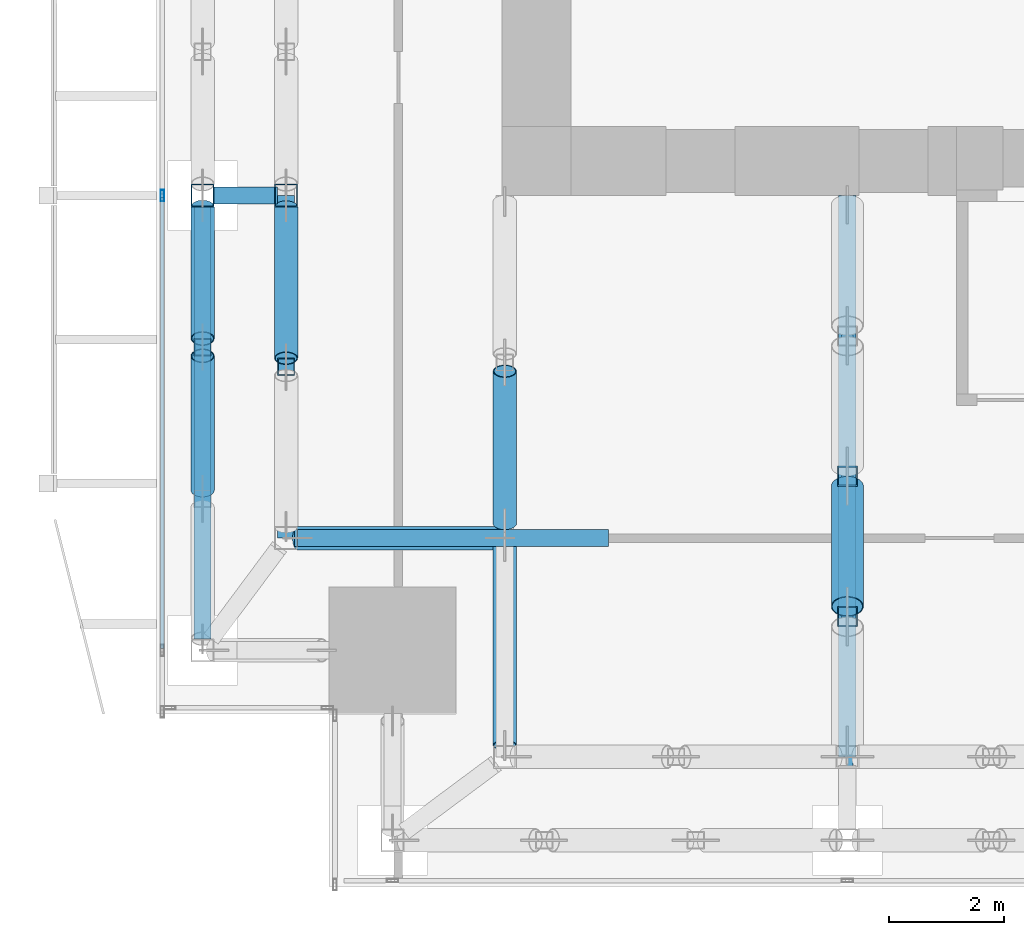
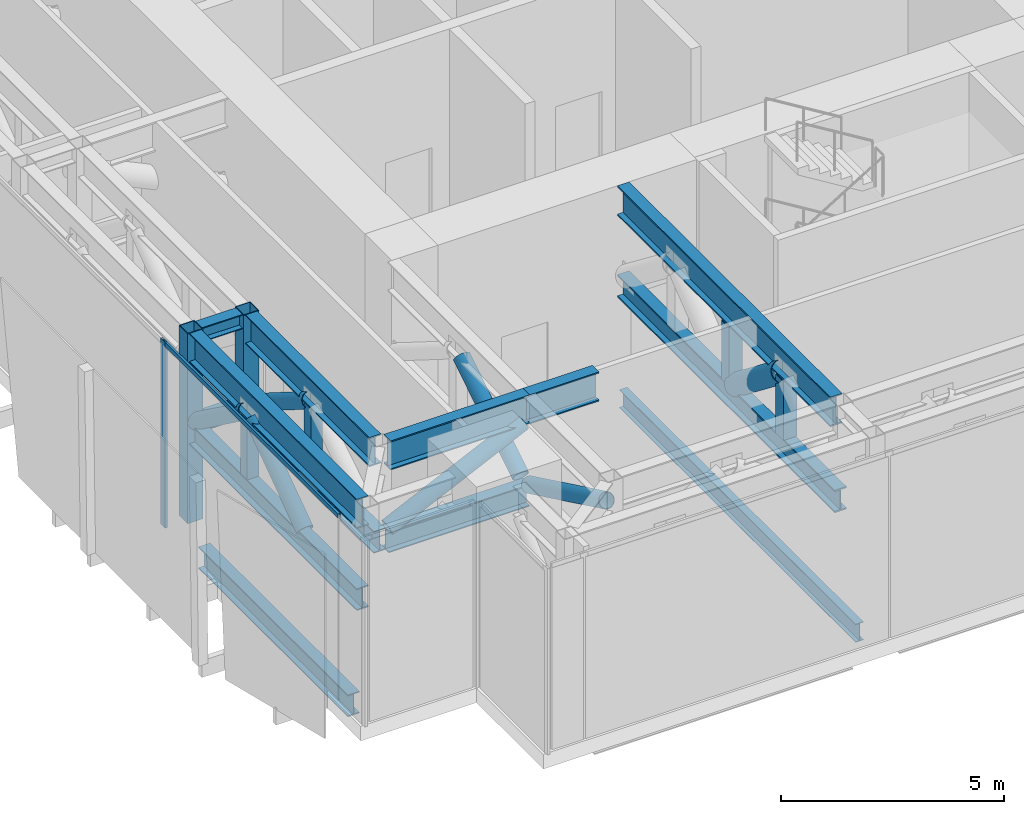
# One storey, part 3 of 39: 24 members, 4 beams, 1 element without a shape of its own.
"""IFC4 building model written with IfcOpenShell, lengths in metres."""

from ifc_helpers import new_model, si_unit, direction, frame, origin, origin_2d, place, context, subcontext, project, spatial, hollow_rectangle, hollow_circle, i_section, extrude, source, transform, mapped, material, material_profile, profile_set, type_object, element, aggregate, save


model = new_model("IFC4")

# Units and contexts
model_context = context("Model", 3, precision=1e-05, world=origin(), true_north=direction((0.0, 1.0)))
body_context = subcontext(model_context, "Body", "Model", "MODEL_VIEW")
ifc_project = project(units=[si_unit("LENGTHUNIT", "METRE"), si_unit("AREAUNIT", "SQUARE_METRE"), si_unit("VOLUMEUNIT", "CUBIC_METRE"), si_unit("PLANEANGLEUNIT", "RADIAN"), si_unit("MASSUNIT", "GRAM", prefix="KILO")], contexts=[model_context])

# Site, building, storey
site_placement = place(None, origin())
site = spatial("IfcSite", under=ifc_project, at=site_placement, CompositionType="ELEMENT")
building_placement = place(site_placement, origin())
building = spatial("IfcBuilding", under=site, at=building_placement, Name="Khomas Fold Tower", CompositionType="ELEMENT")
storey_placement = place(building_placement, frame((0.0, 0.0, 96.0)))
storey = spatial("IfcBuildingStorey", under=building, at=storey_placement, Name="L20", CompositionType="ELEMENT", Elevation=96.0)

# Beams
ifc_material_1 = material(Name="Steel S355", Category="steel")
ifc_material_profile_1 = material_profile(ifc_material_1, i_section(OverallWidth=0.199951171875, OverallDepth=0.5, WebThickness=0.01025390625, FlangeThickness=0.01611328125, at=origin_2d()), Name="IPE 500")
ifc_profile_set_1 = profile_set([ifc_material_profile_1], Name="Steel S355")
beam_type_1 = type_object("IfcBeamType", Name="IPE 500 beam JB5", PredefinedType="BEAM", material=ifc_profile_set_1)
shared_shape_1 = source(origin(), body_context, "Body", "SweptSolid", [
    extrude(i_section(OverallWidth=0.199951171875, OverallDepth=0.5, WebThickness=0.01025390625, FlangeThickness=0.01611328125, at=origin_2d()), origin(), (0.0, 0.0, 1.0), 10.60009765625),
])
beam_1_placement = place(storey_placement, frame((12.0, 1.39990234375, -0.64990234375), z_axis=(0.0, 1.0, 0.0), x_axis=(-1.0, 0.0, 0.0)))
element("IfcBeam", 1, at=beam_1_placement, inside=storey, type_object=beam_type_1, Name="JB5", PredefinedType="BEAM", context=body_context, shape_type="MappedRepresentation", body=[
    mapped(shared_shape_1, transform((0.0, 0.0, 0.0))),
])
ifc_material_2 = material(Name="Steel S355", Category="steel")
ifc_material_profile_2 = material_profile(ifc_material_2, i_section(OverallWidth=0.300048828125, OverallDepth=0.60009765625, WebThickness=0.015380859375, FlangeThickness=0.030029296875, at=origin_2d()), Name="HE 600 B")
ifc_profile_set_2 = profile_set([ifc_material_profile_2], Name="Steel S355")
beam_type_2 = type_object("IfcBeamType", Name="HE 600 B spandrel SB1", PredefinedType="SPANDREL", material=ifc_profile_set_2)
shared_shape_2 = source(origin(), body_context, "Body", "SweptSolid", [
    extrude(i_section(OverallWidth=0.300048828125, OverallDepth=0.60009765625, WebThickness=0.015380859375, FlangeThickness=0.030029296875, at=origin_2d()), origin(), (0.0, 0.0, 1.0), 6.699951171875),
])
beam_2_placement = place(storey_placement, frame((0.800048828125, 4.699951171875, -0.699951171875), z_axis=(0.0, 1.0, 0.0), x_axis=(-1.0, 0.0, 0.0)))
element("IfcBeam", 2, at=beam_2_placement, inside=storey, type_object=beam_type_2, Name="SB1", PredefinedType="SPANDREL", context=body_context, shape_type="MappedRepresentation", body=[
    mapped(shared_shape_2, transform((0.0, 0.0, 0.0))),
])

# Members
ifc_material_3 = material(Name="Steel S460M", Category="steel")
ifc_material_profile_3 = material_profile(ifc_material_3, i_section(OverallWidth=0.300048828125, OverallDepth=0.800048828125, WebThickness=0.017578125, FlangeThickness=0.032958984375, at=origin_2d()), Name="HE 800 B")
ifc_profile_set_3 = profile_set([ifc_material_profile_3], Name="Steel S460M")
member_type_1 = type_object("IfcMemberType", Name="BELT TRUSS 1 TOP CHORD HE 800 B", PredefinedType="CHORD", material=ifc_profile_set_3)
shared_shape_3 = source(origin(), body_context, "Body", "SweptSolid", [
    extrude(i_section(OverallWidth=0.300048828125, OverallDepth=0.800048828125, WebThickness=0.017578125, FlangeThickness=0.032958984375, at=origin_2d()), origin(), (0.0, 0.0, 1.0), 7.5),
])
member_1_placement = place(storey_placement, frame((0.800048828125, 11.800048828125, 4.800048828125), z_axis=(0.0, -1.0, 0.0), x_axis=(1.0, 0.0, 0.0)))
element("IfcMember", 3, at=member_1_placement, inside=storey, type_object=member_type_1, Name="BT1-CT", PredefinedType="CHORD", context=body_context, shape_type="MappedRepresentation", body=[
    mapped(shared_shape_3, transform((0.0, 0.0, 0.0))),
])
ifc_material_4 = material(Name="Steel S355", Category="steel")
ifc_material_profile_4 = material_profile(ifc_material_4, i_section(OverallWidth=0.300048828125, OverallDepth=0.60009765625, WebThickness=0.015380859375, FlangeThickness=0.030029296875, at=origin_2d()), Name="HE 600 B")
ifc_profile_set_4 = profile_set([ifc_material_profile_4], Name="Steel S355")
member_type_2 = type_object("IfcMemberType", Name="BELT TRUSS 1 BOTTOM CHORD HE 600 B", PredefinedType="CHORD", material=ifc_profile_set_4)
shared_shape_4 = source(origin(), body_context, "Body", "SweptSolid", [
    extrude(i_section(OverallWidth=0.300048828125, OverallDepth=0.60009765625, WebThickness=0.015380859375, FlangeThickness=0.030029296875, at=origin_2d()), origin(), (0.0, 0.0, 1.0), 7.5),
])
member_2_placement = place(storey_placement, frame((0.800048828125, 11.800048828125, 2.449951171875), z_axis=(0.0, -1.0, 0.0), x_axis=(1.0, 0.0, 0.0)))
element("IfcMember", 4, at=member_2_placement, inside=storey, type_object=member_type_2, Name="BT1-CB", PredefinedType="CHORD", context=body_context, shape_type="MappedRepresentation", body=[
    mapped(shared_shape_4, transform((0.0, 0.0, 0.0))),
])
ifc_material_5 = material(Name="Steel S355", Category="steel")
ifc_material_profile_5 = material_profile(ifc_material_5, hollow_circle(Radius=0.203125, WallThickness=0.01611328125, at=origin_2d()), Name="CHS 406.4x16")
ifc_profile_set_5 = profile_set([ifc_material_profile_5], Name="Steel S355")
member_type_3 = type_object("IfcMemberType", Name="BELT TRUSS 1 DIAGONAL CHS 406.4x16", PredefinedType="BRACE", material=ifc_profile_set_5)
shared_shape_5 = source(origin(), body_context, "Body", "SweptSolid", [
    extrude(hollow_circle(Radius=0.203125, WallThickness=0.01611328125, at=origin_2d()), origin(), (0.0, 0.0, 1.0), 2.863525390625),
])
member_3_placement = place(storey_placement, frame((0.800048828125, 9.216552734375, 4.405029296875), z_axis=(0.0, -0.814838084694, -0.579688619633), x_axis=(1.0, 0.0, 0.0)))
element("IfcMember", 5, at=member_3_placement, inside=storey, type_object=member_type_3, Name="BT1-D", PredefinedType="BRACE", context=body_context, shape_type="MappedRepresentation", body=[
    mapped(shared_shape_5, transform((0.0, 0.0, 0.0))),
])
shared_shape_6 = source(origin(), body_context, "Body", "SweptSolid", [
    extrude(hollow_circle(Radius=0.203125, WallThickness=0.01611328125, at=origin_2d()), origin(), (0.0, 0.0, 1.0), 2.822998046875),
])
member_4_placement = place(storey_placement, frame((0.800048828125, 11.800048828125, 2.7451171875), z_axis=(0.0, -0.808866956084, 0.587991706876), x_axis=(1.0, 0.0, 0.0)))
element("IfcMember", 6, at=member_4_placement, inside=storey, type_object=member_type_3, Name="BT1-D", PredefinedType="BRACE", context=body_context, shape_type="MappedRepresentation", body=[
    mapped(shared_shape_6, transform((0.0, 0.0, 0.0))),
])
ifc_material_6 = material(Name="Steel S355", Category="steel")
ifc_material_profile_6 = material_profile(ifc_material_6, hollow_rectangle(XDim=0.300048828125, YDim=0.300048828125, WallThickness=0.01611328125, at=origin_2d()), Name="SHS 300x300x16")
ifc_profile_set_6 = profile_set([ifc_material_profile_6], Name="Steel S355")
member_type_4 = type_object("IfcMemberType", Name="BELT TRUSS 1 MID POST SHS 300x300x16", PredefinedType="POST", material=ifc_profile_set_6)
shared_shape_7 = source(origin(), body_context, "Body", "SweptSolid", [
    extrude(hollow_rectangle(XDim=0.300048828125, YDim=0.300048828125, WallThickness=0.01611328125, at=origin_2d()), origin(), (0.0, 0.0, 1.0), 1.64990234375),
])
for number, where, z_axis, x_axis, name in (
    (7, (0.800048828125, 9.36669921875, 2.75), (0.0, 0.0, 1.0), (1.0, 0.0, 0.0), "BT1-M"),
    (8, (2.25, 9.02490234375, 2.75), (0.0, 0.0, 1.0), (1.0, 0.0, 0.0), "BT1-M"),
):
    element("IfcMember", number, at=place(storey_placement, frame(where, z_axis=z_axis, x_axis=x_axis)), inside=storey, type_object=member_type_4, Name=name, PredefinedType="POST", context=body_context, shape_type="MappedRepresentation", body=[
        mapped(shared_shape_7, transform((0.0, 0.0, 0.0))),
    ])
shared_shape_8 = source(origin(), body_context, "Body", "SweptSolid", [
    extrude(i_section(OverallWidth=0.300048828125, OverallDepth=0.800048828125, WebThickness=0.017578125, FlangeThickness=0.032958984375, at=origin_2d()), origin(), (0.0, 0.0, 1.0), 5.550048828125),
])
member_5_placement = place(storey_placement, frame((2.25, 11.800048828125, 4.800048828125), z_axis=(0.0, -1.0, 0.0), x_axis=(1.0, 0.0, 0.0)))
element("IfcMember", 9, at=member_5_placement, inside=storey, type_object=member_type_1, Name="BT1-CT", PredefinedType="CHORD", context=body_context, shape_type="MappedRepresentation", body=[
    mapped(shared_shape_8, transform((0.0, 0.0, 0.0))),
])
shared_shape_9 = source(origin(), body_context, "Body", "SweptSolid", [
    extrude(hollow_circle(Radius=0.203125, WallThickness=0.01611328125, at=origin_2d()), origin(), (0.0, 0.0, 1.0), 3.105712890625),
])
member_6_placement = place(storey_placement, frame((2.25, 11.800048828125, 2.7451171875), z_axis=(0.0, -0.84519551241, 0.534457244129), x_axis=(1.0, 0.0, 0.0)))
element("IfcMember", 10, at=member_6_placement, inside=storey, type_object=member_type_3, Name="BT1-D", PredefinedType="BRACE", context=body_context, shape_type="MappedRepresentation", body=[
    mapped(shared_shape_9, transform((0.0, 0.0, 0.0))),
])
shared_shape_10 = source(origin(), body_context, "Body", "SweptSolid", [
    extrude(i_section(OverallWidth=0.300048828125, OverallDepth=0.60009765625, WebThickness=0.015380859375, FlangeThickness=0.030029296875, at=origin_2d()), origin(), (0.0, 0.0, 1.0), 5.949951171875),
])
member_7_placement = place(storey_placement, frame((2.25, 12.0, 2.449951171875), z_axis=(0.0, -1.0, 0.0), x_axis=(1.0, 0.0, 0.0)))
element("IfcMember", 11, at=member_7_placement, inside=storey, type_object=member_type_2, Name="BT1-CB", PredefinedType="CHORD", context=body_context, shape_type="MappedRepresentation", body=[
    mapped(shared_shape_10, transform((0.0, 0.0, 0.0))),
])
ifc_material_7 = material(Name="Steel S460M", Category="steel")
ifc_material_profile_7 = material_profile(ifc_material_7, i_section(OverallWidth=0.300048828125, OverallDepth=0.800048828125, WebThickness=0.017578125, FlangeThickness=0.032958984375, at=origin_2d()), Name="HE 800 B")
ifc_profile_set_7 = profile_set([ifc_material_profile_7], Name="Steel S460M")
member_type_5 = type_object("IfcMemberType", Name="BELT TRUSS 1 TOP CHORD SHORT HE 800 B", PredefinedType="CHORD", material=ifc_profile_set_7)
shared_shape_11 = source(origin(), body_context, "Body", "SweptSolid", [
    extrude(i_section(OverallWidth=0.300048828125, OverallDepth=0.800048828125, WebThickness=0.017578125, FlangeThickness=0.032958984375, at=origin_2d()), origin(), (0.0, 0.0, 1.0), 3.60009765625),
])
member_8_placement = place(storey_placement, frame((2.449951171875, 6.050048828125, 4.800048828125), z_axis=(1.0, 0.0, 0.0), x_axis=(0.0, 1.0, 0.0)))
element("IfcMember", 12, at=member_8_placement, inside=storey, type_object=member_type_5, Name="BT1-CTS", PredefinedType="CHORD", context=body_context, shape_type="MappedRepresentation", body=[
    mapped(shared_shape_11, transform((0.0, 0.0, 0.0))),
])
ifc_material_8 = material(Name="Steel S355", Category="steel")
ifc_material_profile_8 = material_profile(ifc_material_8, hollow_circle(Radius=0.203125, WallThickness=0.01611328125, at=origin_2d()), Name="CHS 406.4x16")
ifc_profile_set_8 = profile_set([ifc_material_profile_8], Name="Steel S355")
member_type_6 = type_object("IfcMemberType", Name="BELT TRUSS 1 DIAGONAL LONG CHS 406.4x16", PredefinedType="BRACE", material=ifc_profile_set_8)
shared_shape_12 = source(origin(), body_context, "Body", "SweptSolid", [
    extrude(hollow_circle(Radius=0.203125, WallThickness=0.01611328125, at=origin_2d()), origin(), (0.0, 0.0, 1.0), 3.887451171875),
])
member_9_placement = place(storey_placement, frame((2.449951171875, 6.050048828125, 2.7451171875), z_axis=(0.904261444129, 0.0, 0.426979204016), x_axis=(0.0, 1.0, 0.0)))
element("IfcMember", 13, at=member_9_placement, inside=storey, type_object=member_type_6, Name="BT1-DL", PredefinedType="BRACE", context=body_context, shape_type="MappedRepresentation", body=[
    mapped(shared_shape_12, transform((0.0, 0.0, 0.0))),
])
shared_shape_13 = source(origin(), body_context, "Body", "SweptSolid", [
    extrude(hollow_circle(Radius=0.203125, WallThickness=0.01611328125, at=origin_2d()), origin(), (0.0, 0.0, 1.0), 3.82861328125),
])
member_10_placement = place(storey_placement, frame((6.050048828125, 2.449951171875, 4.405029296875), z_axis=(0.0, 0.901121646238, -0.43356634865), x_axis=(-1.0, 0.0, 0.0)))
element("IfcMember", 14, at=member_10_placement, inside=storey, type_object=member_type_6, Name="BT1-DL", PredefinedType="BRACE", context=body_context, shape_type="MappedRepresentation", body=[
    mapped(shared_shape_13, transform((0.0, 0.0, 0.0))),
])
ifc_material_9 = material(Name="Steel S460M", Category="steel")
ifc_material_profile_9 = material_profile(ifc_material_9, i_section(OverallWidth=0.300048828125, OverallDepth=0.800048828125, WebThickness=0.017578125, FlangeThickness=0.032958984375, at=origin_2d()), Name="HE 800 B")
ifc_profile_set_9 = profile_set([ifc_material_profile_9], Name="Steel S460M")
member_type_7 = type_object("IfcMemberType", Name="BELT TRUSS 1 TOP CHORD SHORTER HE 800 B", PredefinedType="CHORD", material=ifc_profile_set_9)
shared_shape_14 = source(origin(), body_context, "Body", "SweptSolid", [
    extrude(i_section(OverallWidth=0.300048828125, OverallDepth=0.800048828125, WebThickness=0.017578125, FlangeThickness=0.032958984375, at=origin_2d()), origin(), (0.0, 0.0, 1.0), 1.800048828125),
])
member_11_placement = place(storey_placement, frame((6.050048828125, 6.050048828125, 4.800048828125), z_axis=(1.0, 0.0, 0.0), x_axis=(0.0, 1.0, 0.0)))
element("IfcMember", 15, at=member_11_placement, inside=storey, type_object=member_type_7, Name="BT1-CTSS", PredefinedType="CHORD", context=body_context, shape_type="MappedRepresentation", body=[
    mapped(shared_shape_14, transform((0.0, 0.0, 0.0))),
])
ifc_material_10 = material(Name="Steel S355", Category="steel")
ifc_material_profile_10 = material_profile(ifc_material_10, i_section(OverallWidth=0.300048828125, OverallDepth=0.60009765625, WebThickness=0.015380859375, FlangeThickness=0.030029296875, at=origin_2d()), Name="HE 600 B")
ifc_profile_set_10 = profile_set([ifc_material_profile_10], Name="Steel S355")
member_type_8 = type_object("IfcMemberType", Name="BELT TRUSS 1 BOTTOM CHORD SHORT HE 600 B", PredefinedType="CHORD", material=ifc_profile_set_10)
shared_shape_15 = source(origin(), body_context, "Body", "SweptSolid", [
    extrude(i_section(OverallWidth=0.300048828125, OverallDepth=0.60009765625, WebThickness=0.015380859375, FlangeThickness=0.030029296875, at=origin_2d()), origin(), (0.0, 0.0, 1.0), 3.650146484375),
])
member_12_placement = place(storey_placement, frame((2.39990234375, 6.050048828125, 2.449951171875), z_axis=(1.0, 0.0, 0.0), x_axis=(0.0, 1.0, 0.0)))
element("IfcMember", 16, at=member_12_placement, inside=storey, type_object=member_type_8, Name="BT1-CBS", PredefinedType="CHORD", context=body_context, shape_type="MappedRepresentation", body=[
    mapped(shared_shape_15, transform((0.0, 0.0, 0.0))),
])
shared_shape_16 = source(origin(), body_context, "Body", "SweptSolid", [
    extrude(hollow_circle(Radius=0.203125, WallThickness=0.01611328125, at=origin_2d()), origin(), (0.0, 0.0, 1.0), 3.123046875),
])
member_13_placement = place(storey_placement, frame((6.050048828125, 6.304443359375, 2.7451171875), z_axis=(0.0, 0.847065964698, 0.531487771685), x_axis=(-1.0, 0.0, 0.0)))
element("IfcMember", 17, at=member_13_placement, inside=storey, type_object=member_type_3, Name="BT1-D", PredefinedType="BRACE", context=body_context, shape_type="MappedRepresentation", body=[
    mapped(shared_shape_16, transform((0.0, 0.0, 0.0))),
])
ifc_material_11 = material(Name="Steel S460M", Category="steel")
ifc_material_profile_11 = material_profile(ifc_material_11, hollow_rectangle(XDim=0.39990234375, YDim=0.39990234375, WallThickness=0.02001953125, at=origin_2d()), Name="SHS 400x400x20")
ifc_profile_set_11 = profile_set([ifc_material_profile_11], Name="Steel S460M")
member_type_9 = type_object("IfcMemberType", Name="BELT TRUSS 1 COLUMN POST LONG SHS 400x400x20", PredefinedType="POST", material=ifc_profile_set_11)
shared_shape_17 = source(origin(), body_context, "Body", "SweptSolid", [
    extrude(hollow_rectangle(XDim=0.39990234375, YDim=0.39990234375, WallThickness=0.02001953125, at=origin_2d()), origin(), (0.0, 0.0, 1.0), 5.199951171875),
])
member_14_placement = place(storey_placement, frame((0.800048828125, 12.0, 0.0), z_axis=(0.0, 0.0, 1.0), x_axis=(1.0, 0.0, 0.0)))
element("IfcMember", 18, at=member_14_placement, inside=storey, type_object=member_type_9, Name="BT1-PL", PredefinedType="POST", context=body_context, shape_type="MappedRepresentation", body=[
    mapped(shared_shape_17, transform((0.0, 0.0, 0.0))),
])
ifc_material_12 = material(Name="Steel S460M", Category="steel")
ifc_material_profile_12 = material_profile(ifc_material_12, hollow_rectangle(XDim=0.39990234375, YDim=0.39990234375, WallThickness=0.02001953125, at=origin_2d()), Name="SHS 400x400x20")
ifc_profile_set_12 = profile_set([ifc_material_profile_12], Name="Steel S460M")
member_type_10 = type_object("IfcMemberType", Name="BELT TRUSS 1 COLUMN POST SHS 400x400x20", PredefinedType="POST", material=ifc_profile_set_12)
shared_shape_18 = source(origin(), body_context, "Body", "SweptSolid", [
    extrude(hollow_rectangle(XDim=0.39990234375, YDim=0.39990234375, WallThickness=0.02001953125, at=origin_2d()), origin(), (0.0, 0.0, 1.0), 2.449951171875),
])
member_15_placement = place(storey_placement, frame((2.25, 12.0, 2.75), z_axis=(0.0, 0.0, 1.0), x_axis=(1.0, 0.0, 0.0)))
element("IfcMember", 19, at=member_15_placement, inside=storey, type_object=member_type_10, Name="BT1-P", PredefinedType="POST", context=body_context, shape_type="MappedRepresentation", body=[
    mapped(shared_shape_18, transform((0.0, 0.0, 0.0))),
])

# Beams
ifc_material_13 = material(Name="Steel S355", Category="steel")
ifc_material_profile_13 = material_profile(ifc_material_13, i_section(OverallWidth=0.300048828125, OverallDepth=0.39990234375, WebThickness=0.013427734375, FlangeThickness=0.02392578125, at=origin_2d()), Name="HE 400 B")
ifc_profile_set_13 = profile_set([ifc_material_profile_13], Name="Steel S355")
beam_type_3 = type_object("IfcBeamType", Name="BELT TRUSS 1 TOP STRUT HE 400 B", PredefinedType="BEAM", material=ifc_profile_set_13)
shared_shape_19 = source(origin(), body_context, "Body", "SweptSolid", [
    extrude(i_section(OverallWidth=0.300048828125, OverallDepth=0.39990234375, WebThickness=0.013427734375, FlangeThickness=0.02392578125, at=origin_2d()), origin(), (0.0, 0.0, 1.0), 1.050048828125),
])
beam_3_placement = place(storey_placement, frame((2.050048828125, 12.0, 5.0), z_axis=(-1.0, 0.0, 0.0), x_axis=(0.0, -1.0, 0.0)))
element("IfcBeam", 20, at=beam_3_placement, inside=storey, type_object=beam_type_3, Name="BT1-ST", PredefinedType="BEAM", context=body_context, shape_type="MappedRepresentation", body=[
    mapped(shared_shape_19, transform((0.0, 0.0, 0.0))),
])
ifc_material_14 = material(Name="Steel S355", Category="steel")
ifc_material_profile_14 = material_profile(ifc_material_14, i_section(OverallWidth=0.300048828125, OverallDepth=0.39990234375, WebThickness=0.013427734375, FlangeThickness=0.02392578125, at=origin_2d()), Name="HE 400 B")
ifc_profile_set_14 = profile_set([ifc_material_profile_14], Name="Steel S355")
beam_type_4 = type_object("IfcBeamType", Name="BELT TRUSS 1 BOTTOM STRUT HE 400 B", PredefinedType="BEAM", material=ifc_profile_set_14)
shared_shape_20 = source(origin(), body_context, "Body", "SweptSolid", [
    extrude(i_section(OverallWidth=0.300048828125, OverallDepth=0.39990234375, WebThickness=0.013427734375, FlangeThickness=0.02392578125, at=origin_2d()), origin(), (0.0, 0.0, 1.0), 1.10009765625),
])
beam_4_placement = place(storey_placement, frame((2.10009765625, 12.0, 2.550048828125), z_axis=(-1.0, 0.0, 0.0), x_axis=(0.0, -1.0, 0.0)))
element("IfcBeam", 21, at=beam_4_placement, inside=storey, type_object=beam_type_4, Name="BT1-SB", PredefinedType="BEAM", context=body_context, shape_type="MappedRepresentation", body=[
    mapped(shared_shape_20, transform((0.0, 0.0, 0.0))),
])

# Members
ifc_material_15 = material(Name="Steel S355", Category="steel")
ifc_material_profile_15 = material_profile(ifc_material_15, hollow_rectangle(XDim=0.35009765625, YDim=0.35009765625, WallThickness=0.02001953125, at=origin_2d()), Name="SHS 350x350x20")
ifc_profile_set_15 = profile_set([ifc_material_profile_15], Name="Steel S355")
member_type_11 = type_object("IfcMemberType", Name="OUTRIGGER 1 MID POST SHS 350x350x20", PredefinedType="POST", material=ifc_profile_set_15)
shared_shape_21 = source(origin(), body_context, "Body", "SweptSolid", [
    extrude(hollow_rectangle(XDim=0.35009765625, YDim=0.35009765625, WallThickness=0.02001953125, at=origin_2d()), origin(), (0.0, 0.0, 1.0), 1.615966796875),
])
for number, where, z_axis, x_axis, name in (
    (22, (12.0, 7.125, 2.77001953125), (0.0, 0.0, 1.0), (1.0, 0.0, 0.0), "OR1-M"),
    (23, (12.0, 4.6875, 2.77001953125), (0.0, 0.0, 1.0), (1.0, 0.0, 0.0), "OR1-M"),
):
    element("IfcMember", number, at=place(storey_placement, frame(where, z_axis=z_axis, x_axis=x_axis)), inside=storey, type_object=member_type_11, Name=name, PredefinedType="POST", context=body_context, shape_type="MappedRepresentation", body=[
        mapped(shared_shape_21, transform((0.0, 0.0, 0.0))),
    ])
ifc_material_16 = material(Name="Steel S460M", Category="steel")
ifc_material_profile_16 = material_profile(ifc_material_16, i_section(OverallWidth=0.302978515625, OverallDepth=0.81396484375, WebThickness=0.02099609375, FlangeThickness=0.0400390625, at=origin_2d()), Name="HE 800 M")
ifc_profile_set_16 = profile_set([ifc_material_profile_16], Name="Steel S460M")
member_type_12 = type_object("IfcMemberType", Name="OUTRIGGER 1 TOP CHORD LONG HE 800 M", PredefinedType="CHORD", material=ifc_profile_set_16)
shared_shape_22 = source(origin(), body_context, "Body", "SweptSolid", [
    extrude(i_section(OverallWidth=0.302978515625, OverallDepth=0.81396484375, WebThickness=0.02099609375, FlangeThickness=0.0400390625, at=origin_2d()), origin(), (0.0, 0.0, 1.0), 9.550048828125),
])
member_16_placement = place(storey_placement, frame((12.0, 12.0, 4.79296875), z_axis=(0.0, -1.0, 0.0), x_axis=(1.0, 0.0, 0.0)))
element("IfcMember", 24, at=member_16_placement, inside=storey, type_object=member_type_12, Name="OR1-CTL", PredefinedType="CHORD", context=body_context, shape_type="MappedRepresentation", body=[
    mapped(shared_shape_22, transform((0.0, 0.0, 0.0))),
])
ifc_material_17 = material(Name="Steel S460M", Category="steel")
ifc_material_profile_17 = material_profile(ifc_material_17, i_section(OverallWidth=0.304931640625, OverallDepth=0.6201171875, WebThickness=0.02099609375, FlangeThickness=0.0400390625, at=origin_2d()), Name="HE 600 M")
ifc_profile_set_17 = profile_set([ifc_material_profile_17], Name="Steel S460M")
member_type_13 = type_object("IfcMemberType", Name="OUTRIGGER 1 BOTTOM CHORD LONG HE 600 M", PredefinedType="CHORD", material=ifc_profile_set_17)
shared_shape_23 = source(origin(), body_context, "Body", "SweptSolid", [
    extrude(i_section(OverallWidth=0.304931640625, OverallDepth=0.6201171875, WebThickness=0.02099609375, FlangeThickness=0.0400390625, at=origin_2d()), origin(), (0.0, 0.0, 1.0), 9.75),
])
member_17_placement = place(storey_placement, frame((12.0, 12.0, 2.4599609375), z_axis=(0.0, -1.0, 0.0), x_axis=(1.0, 0.0, 0.0)))
element("IfcMember", 25, at=member_17_placement, inside=storey, type_object=member_type_13, Name="OR1-CBL", PredefinedType="CHORD", context=body_context, shape_type="MappedRepresentation", body=[
    mapped(shared_shape_23, transform((0.0, 0.0, 0.0))),
])
ifc_material_18 = material(Name="Steel S355", Category="steel")
ifc_material_profile_18 = material_profile(ifc_material_18, hollow_circle(Radius=0.279541015625, WallThickness=0.01611328125, at=origin_2d()), Name="CHS 559x16")
ifc_profile_set_18 = profile_set([ifc_material_profile_18], Name="Steel S355")
member_type_14 = type_object("IfcMemberType", Name="OUTRIGGER 1 DIAGONAL CHS 559x16", PredefinedType="BRACE", material=ifc_profile_set_18)
shared_shape_24 = source(origin(), body_context, "Body", "SweptSolid", [
    extrude(hollow_circle(Radius=0.279541015625, WallThickness=0.01611328125, at=origin_2d()), origin(), (0.0, 0.0, 1.0), 2.64599609375),
])
member_18_placement = place(storey_placement, frame((12.0, 6.949951171875, 2.764892578125), z_axis=(0.0, -0.788860124161, 0.614572782109), x_axis=(1.0, 0.0, 0.0)))
element("IfcMember", 26, at=member_18_placement, inside=storey, type_object=member_type_14, Name="OR1-D", PredefinedType="BRACE", context=body_context, shape_type="MappedRepresentation", body=[
    mapped(shared_shape_24, transform((0.0, 0.0, 0.0))),
])

# Curtain wall, members
ifc_material_19 = material(Name="Aluminium framed double glazing", Category="aluminium")
curtain_wall_type = type_object("IfcCurtainWallType", Name="SK-Plant louvre wall CW4", PredefinedType="NOTDEFINED", material=ifc_material_19)
curtain_wall_placement = place(storey_placement, origin())
curtain_wall = element("IfcCurtainWall", 27, at=curtain_wall_placement, inside=storey, type_object=curtain_wall_type, Name="CW4 run L20 09-0", PredefinedType="NOTDEFINED")
ifc_material_20 = material(Name="Aluminium", Category="aluminium")
ifc_material_profile_19 = material_profile(ifc_material_20, hollow_rectangle(XDim=0.06005859375, YDim=0.199951171875, WallThickness=0.00390625, at=origin_2d()), Name="SK-Plant louvre wall mullion CW4-M")
ifc_profile_set_19 = profile_set([ifc_material_profile_19], Name="Aluminium")
member_type_15 = type_object("IfcMemberType", Name="SK-Plant louvre wall mullion CW4-M", PredefinedType="MULLION", material=ifc_profile_set_19)
shared_shape_25 = source(origin(), body_context, "Body", "SweptSolid", [
    extrude(hollow_rectangle(XDim=0.06005859375, YDim=0.199951171875, WallThickness=0.00390625, at=origin_2d()), origin(), (0.0, 0.0, 1.0), 5.10009765625),
])
member_19_placement = place(storey_placement, frame((0.10009765625, 12.0, 0.0), z_axis=(0.0, 0.0, 1.0), x_axis=(1.0, 0.0, 0.0)))
member_19 = element("IfcMember", 28, at=member_19_placement, type_object=member_type_15, Name="CW4 mullion 7", PredefinedType="MULLION", context=body_context, shape_type="MappedRepresentation", body=[
    mapped(shared_shape_25, transform((0.0, 0.0, 0.0))),
])
ifc_material_21 = material(Name="Aluminium", Category="aluminium")
ifc_material_profile_20 = material_profile(ifc_material_21, hollow_rectangle(XDim=0.06005859375, YDim=0.1201171875, WallThickness=0.00390625, at=origin_2d()), Name="SK-Plant louvre wall transom CW4-T")
ifc_profile_set_20 = profile_set([ifc_material_profile_20], Name="Aluminium")
member_type_16 = type_object("IfcMemberType", Name="SK-Plant louvre wall transom CW4-T", PredefinedType="USERDEFINED", material=ifc_profile_set_20)
shared_shape_26 = source(origin(), body_context, "Body", "SweptSolid", [
    extrude(hollow_rectangle(XDim=0.06005859375, YDim=0.1201171875, WallThickness=0.00390625, at=origin_2d()), origin(), (0.0, 0.0, 1.0), 7.840087890625),
])
member_20_placement = place(storey_placement, frame((0.10009765625, 11.969970703125, 5.0400390625), z_axis=(0.0, -1.0, 0.0), x_axis=(1.0, 0.0, 0.0)))
member_20 = element("IfcMember", 29, at=member_20_placement, type_object=member_type_16, Name="CW4 transom 7", ObjectType="TRANSOM", PredefinedType="USERDEFINED", context=body_context, shape_type="MappedRepresentation", body=[
    mapped(shared_shape_26, transform((0.0, 0.0, 0.0))),
])
aggregate(curtain_wall, [member_19, member_20])

save(model, "model.ifc")
